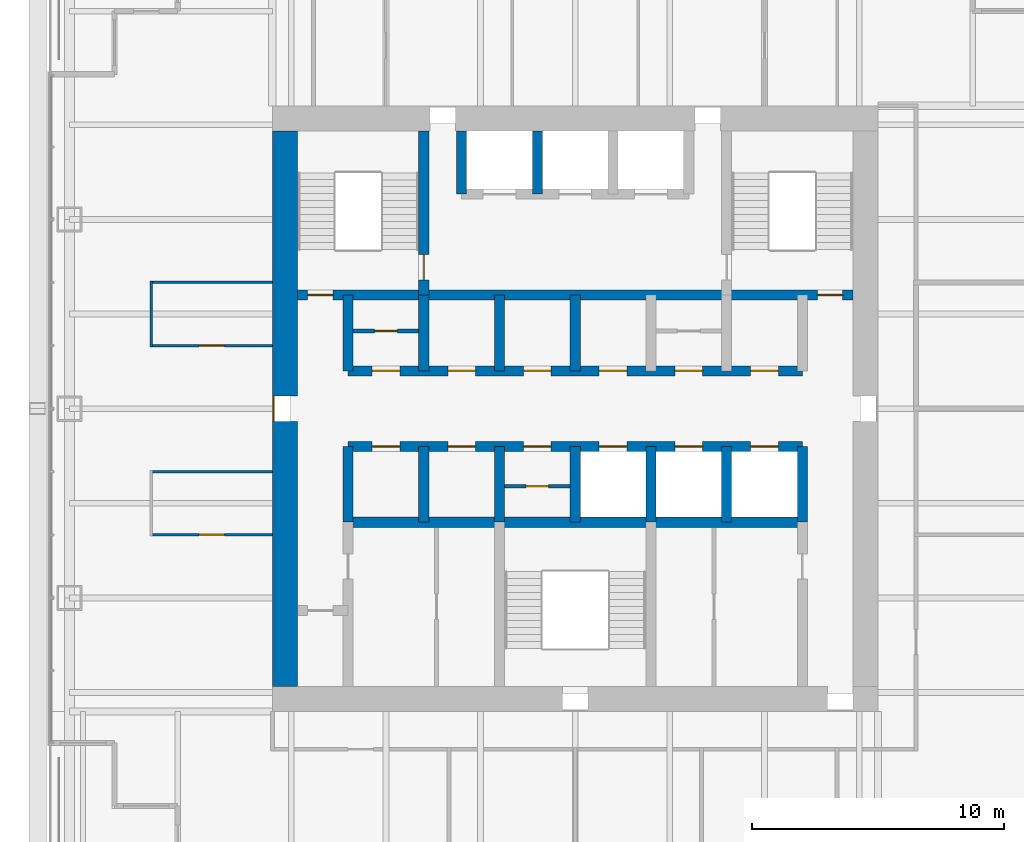
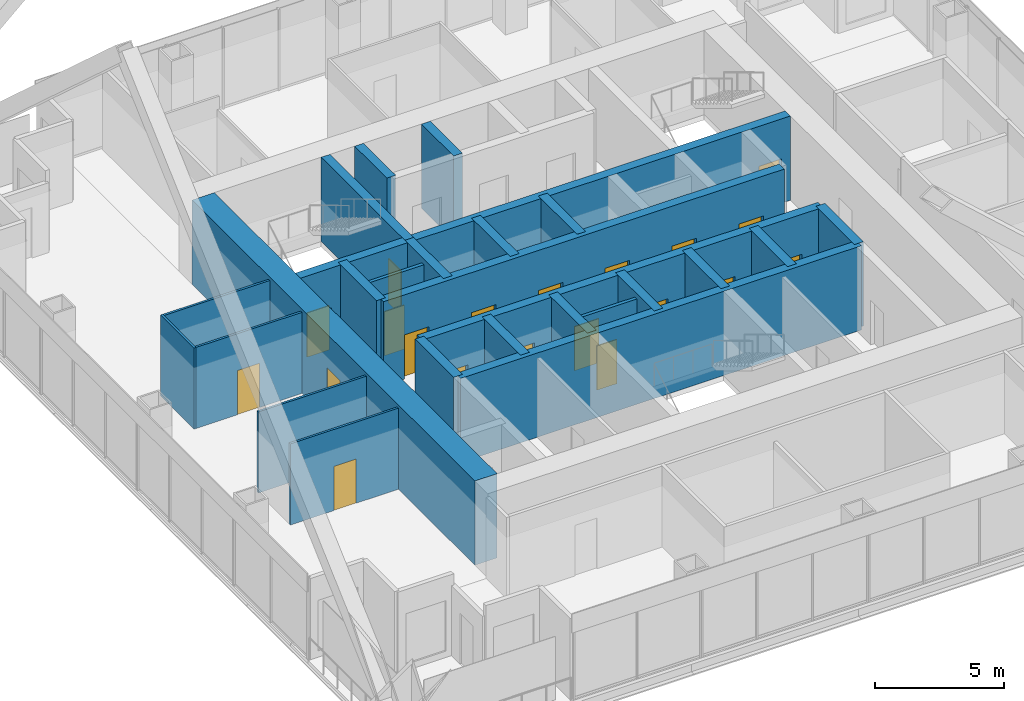
# One storey, part 14 of 18: 26 walls, 20 doors, 20 openings.
"""IFC4 building model written with IfcOpenShell, lengths in metres."""

from ifc_helpers import new_model, si_unit, direction, frame, frame_2d, origin, place, context, subcontext, project, spatial, rectangle, extrude, material, layer, layer_set, type_object, element, fill, save


model = new_model("IFC4")

# Units and contexts
model_context = context("Model", 3, precision=1e-05, world=origin(), true_north=direction((0.0, 1.0)))
body_context = subcontext(model_context, "Body", "Model", "MODEL_VIEW")
ifc_project = project(units=[si_unit("LENGTHUNIT", "METRE"), si_unit("AREAUNIT", "SQUARE_METRE"), si_unit("VOLUMEUNIT", "CUBIC_METRE"), si_unit("PLANEANGLEUNIT", "RADIAN"), si_unit("MASSUNIT", "GRAM", prefix="KILO")], contexts=[model_context])

# Site, building, storey
site_placement = place(None, origin())
site = spatial("IfcSite", under=ifc_project, at=site_placement, CompositionType="ELEMENT")
building_placement = place(site_placement, origin())
building = spatial("IfcBuilding", under=site, at=building_placement, Name="Tarangal Relay Tower", CompositionType="ELEMENT")
storey_placement = place(building_placement, frame((0.0, 0.0, 295.89990234375)))
storey = spatial("IfcBuildingStorey", under=building, at=storey_placement, Name="L65", CompositionType="ELEMENT", Elevation=295.89990234375)

# Wall, openings, doors
ifc_material_1 = material(Name="Concrete fc' 60 MPa", Category="concrete")
ifc_layer_1 = layer(ifc_material_1, 0.39990234375)
ifc_layer_set_1 = layer_set([ifc_layer_1], Name="Core inner wall 400")
wall_type_1 = type_object("IfcWallType", Name="Core inner wall 400", PredefinedType="SHEAR", material=ifc_layer_set_1)
wall_1_placement = place(storey_placement, frame((-11.0, 4.5, 0.0), z_axis=(0.0, 0.0, 1.0), x_axis=(1.0, 0.0, 0.0)))
wall_1 = element("IfcWall", 1, at=wall_1_placement, inside=storey, type_object=wall_type_1, Name="Core wall Y45 L65", PredefinedType="SHEAR", context=body_context, shape_type="SweptSolid", body=[
    extrude(rectangle(XDim=22.0, YDim=0.39990234375, at=frame_2d((11.0, 0.0))), origin(), (0.0, 0.0, 1.0), 4.0),
])
opening_1_placement = place(wall_1_placement, frame((0.39990234375, 0.0, 0.0)))
opening_1 = element("IfcOpeningElement", 2, at=opening_1_placement, cuts=wall_1, Name="Opening FD1", PredefinedType="OPENING", context=body_context, shape_type="SweptSolid", body=[
    extrude(rectangle(XDim=1.0, YDim=2.10009765625, at=frame_2d((0.5, 1.050048828125))), frame((0.0, 0.2099609375, 0.0), z_axis=(0.0, -1.0, 0.0), x_axis=(1.0, 0.0, 0.0)), (0.0, 0.0, 1.0), 0.419921875),
])
opening_2_placement = place(wall_1_placement, frame((20.60009765625, 0.0, 0.0)))
opening_2 = element("IfcOpeningElement", 3, at=opening_2_placement, cuts=wall_1, Name="Opening FD1", PredefinedType="OPENING", context=body_context, shape_type="SweptSolid", body=[
    extrude(rectangle(XDim=1.0, YDim=2.10009765625, at=frame_2d((0.5, 1.050048828125))), frame((0.0, 0.2099609375, 0.0), z_axis=(0.0, -1.0, 0.0), x_axis=(1.0, 0.0, 0.0)), (0.0, 0.0, 1.0), 0.419921875),
])
ifc_material_2 = material(Name="Steel door with hardwood frame", Category="steel")
door_type_1 = type_object("IfcDoorType", Name="Fire door 1000 x 2100", OperationType="SINGLE_SWING_LEFT", PredefinedType="DOOR", material=ifc_material_2)
door_1_placement = place(opening_1_placement, origin())
door_1 = element("IfcDoor", 4, at=door_1_placement, inside=storey, type_object=door_type_1, Name="Stair ST-A door from corridor L65", OperationType="SINGLE_SWING_LEFT", OverallHeight=2.10009765625, OverallWidth=1.0, PredefinedType="DOOR", context=body_context, shape_type="SweptSolid", body=[
    extrude(rectangle(XDim=1.0, YDim=2.10009765625, at=frame_2d((0.5, 1.050048828125))), frame((0.0, 0.02490234375, 0.0), z_axis=(0.0, -1.0, 0.0), x_axis=(1.0, 0.0, 0.0)), (0.0, 0.0, 1.0), 0.050048828125),
])
fill(opening_1, door_1)
door_2_placement = place(opening_2_placement, origin())
door_2 = element("IfcDoor", 5, at=door_2_placement, inside=storey, type_object=door_type_1, Name="Stair ST-B door from corridor L65", OperationType="SINGLE_SWING_LEFT", OverallHeight=2.10009765625, OverallWidth=1.0, PredefinedType="DOOR", context=body_context, shape_type="SweptSolid", body=[
    extrude(rectangle(XDim=1.0, YDim=2.10009765625, at=frame_2d((0.5, 1.050048828125))), frame((0.0, 0.02490234375, 0.0), z_axis=(0.0, -1.0, 0.0), x_axis=(1.0, 0.0, 0.0)), (0.0, 0.0, 1.0), 0.050048828125),
])
fill(opening_2, door_2)

wall_2_placement = place(storey_placement, frame((-9.0, 1.5, 0.0), z_axis=(0.0, 0.0, 1.0), x_axis=(1.0, 0.0, 0.0)))
wall_2 = element("IfcWall", 6, at=wall_2_placement, inside=storey, type_object=wall_type_1, Name="Core wall Y15 L65", PredefinedType="SHEAR", context=body_context, shape_type="SweptSolid", body=[
    extrude(rectangle(XDim=18.0, YDim=0.39990234375, at=frame_2d((9.0, 0.0))), origin(), (0.0, 0.0, 1.0), 4.0),
])
opening_3_placement = place(wall_2_placement, frame((0.949951171875, 0.0, 0.0)))
opening_3 = element("IfcOpeningElement", 7, at=opening_3_placement, cuts=wall_2, Name="Opening D4", PredefinedType="OPENING", context=body_context, shape_type="SweptSolid", body=[
    extrude(rectangle(XDim=1.10009765625, YDim=2.10009765625, at=frame_2d((0.550048828125, 1.050048828125))), frame((0.0, 0.2099609375, 0.0), z_axis=(0.0, -1.0, 0.0), x_axis=(1.0, 0.0, 0.0)), (0.0, 0.0, 1.0), 0.419921875),
])
opening_4_placement = place(wall_2_placement, frame((3.949951171875, 0.0, 0.0)))
opening_4 = element("IfcOpeningElement", 8, at=opening_4_placement, cuts=wall_2, Name="Opening D4", PredefinedType="OPENING", context=body_context, shape_type="SweptSolid", body=[
    extrude(rectangle(XDim=1.10009765625, YDim=2.10009765625, at=frame_2d((0.550048828125, 1.050048828125))), frame((0.0, 0.2099609375, 0.0), z_axis=(0.0, -1.0, 0.0), x_axis=(1.0, 0.0, 0.0)), (0.0, 0.0, 1.0), 0.419921875),
])
opening_5_placement = place(wall_2_placement, frame((6.949951171875, 0.0, 0.0)))
opening_5 = element("IfcOpeningElement", 9, at=opening_5_placement, cuts=wall_2, Name="Opening D4", PredefinedType="OPENING", context=body_context, shape_type="SweptSolid", body=[
    extrude(rectangle(XDim=1.10009765625, YDim=2.10009765625, at=frame_2d((0.550048828125, 1.050048828125))), frame((0.0, 0.2099609375, 0.0), z_axis=(0.0, -1.0, 0.0), x_axis=(1.0, 0.0, 0.0)), (0.0, 0.0, 1.0), 0.419921875),
])
opening_6_placement = place(wall_2_placement, frame((9.949951171875, 0.0, 0.0)))
opening_6 = element("IfcOpeningElement", 10, at=opening_6_placement, cuts=wall_2, Name="Opening D4", PredefinedType="OPENING", context=body_context, shape_type="SweptSolid", body=[
    extrude(rectangle(XDim=1.10009765625, YDim=2.10009765625, at=frame_2d((0.550048828125, 1.050048828125))), frame((0.0, 0.2099609375, 0.0), z_axis=(0.0, -1.0, 0.0), x_axis=(1.0, 0.0, 0.0)), (0.0, 0.0, 1.0), 0.419921875),
])
opening_7_placement = place(wall_2_placement, frame((12.949951171875, 0.0, 0.0)))
opening_7 = element("IfcOpeningElement", 11, at=opening_7_placement, cuts=wall_2, Name="Opening D4", PredefinedType="OPENING", context=body_context, shape_type="SweptSolid", body=[
    extrude(rectangle(XDim=1.10009765625, YDim=2.10009765625, at=frame_2d((0.550048828125, 1.050048828125))), frame((0.0, 0.2099609375, 0.0), z_axis=(0.0, -1.0, 0.0), x_axis=(1.0, 0.0, 0.0)), (0.0, 0.0, 1.0), 0.419921875),
])
opening_8_placement = place(wall_2_placement, frame((15.949951171875, 0.0, 0.0)))
opening_8 = element("IfcOpeningElement", 12, at=opening_8_placement, cuts=wall_2, Name="Opening D4", PredefinedType="OPENING", context=body_context, shape_type="SweptSolid", body=[
    extrude(rectangle(XDim=1.10009765625, YDim=2.10009765625, at=frame_2d((0.550048828125, 1.050048828125))), frame((0.0, 0.2099609375, 0.0), z_axis=(0.0, -1.0, 0.0), x_axis=(1.0, 0.0, 0.0)), (0.0, 0.0, 1.0), 0.419921875),
])
door_type_2 = type_object("IfcDoorType", Name="Core room door 1100 x 2100", OperationType="SINGLE_SWING_RIGHT", PredefinedType="DOOR", material=ifc_material_2)
door_3_placement = place(opening_3_placement, origin())
door_3 = element("IfcDoor", 13, at=door_3_placement, inside=storey, type_object=door_type_2, Name="Door D4 to staff pantry L65-D1", OperationType="SINGLE_SWING_RIGHT", OverallHeight=2.10009765625, OverallWidth=1.10009765625, PredefinedType="DOOR", context=body_context, shape_type="SweptSolid", body=[
    extrude(rectangle(XDim=1.10009765625, YDim=2.10009765625, at=frame_2d((0.550048828125, 1.050048828125))), frame((0.0, 0.02490234375, 0.0), z_axis=(0.0, -1.0, 0.0), x_axis=(1.0, 0.0, 0.0)), (0.0, 0.0, 1.0), 0.050048828125),
])
fill(opening_3, door_3)
door_4_placement = place(opening_4_placement, origin())
door_4 = element("IfcDoor", 14, at=door_4_placement, inside=storey, type_object=door_type_2, Name="Door D4 to it room L65-D2", OperationType="SINGLE_SWING_RIGHT", OverallHeight=2.10009765625, OverallWidth=1.10009765625, PredefinedType="DOOR", context=body_context, shape_type="SweptSolid", body=[
    extrude(rectangle(XDim=1.10009765625, YDim=2.10009765625, at=frame_2d((0.550048828125, 1.050048828125))), frame((0.0, 0.02490234375, 0.0), z_axis=(0.0, -1.0, 0.0), x_axis=(1.0, 0.0, 0.0)), (0.0, 0.0, 1.0), 0.050048828125),
])
fill(opening_4, door_4)
door_5_placement = place(opening_5_placement, origin())
door_5 = element("IfcDoor", 15, at=door_5_placement, inside=storey, type_object=door_type_2, Name="Door D4 to cleaner's store L65-D3", OperationType="SINGLE_SWING_RIGHT", OverallHeight=2.10009765625, OverallWidth=1.10009765625, PredefinedType="DOOR", context=body_context, shape_type="SweptSolid", body=[
    extrude(rectangle(XDim=1.10009765625, YDim=2.10009765625, at=frame_2d((0.550048828125, 1.050048828125))), frame((0.0, 0.02490234375, 0.0), z_axis=(0.0, -1.0, 0.0), x_axis=(1.0, 0.0, 0.0)), (0.0, 0.0, 1.0), 0.050048828125),
])
fill(opening_5, door_5)
door_6_placement = place(opening_6_placement, origin())
door_6 = element("IfcDoor", 16, at=door_6_placement, inside=storey, type_object=door_type_2, Name="Door D4 to staff wc L65-T1", OperationType="SINGLE_SWING_RIGHT", OverallHeight=2.10009765625, OverallWidth=1.10009765625, PredefinedType="DOOR", context=body_context, shape_type="SweptSolid", body=[
    extrude(rectangle(XDim=1.10009765625, YDim=2.10009765625, at=frame_2d((0.550048828125, 1.050048828125))), frame((0.0, 0.02490234375, 0.0), z_axis=(0.0, -1.0, 0.0), x_axis=(1.0, 0.0, 0.0)), (0.0, 0.0, 1.0), 0.050048828125),
])
fill(opening_6, door_6)
door_7_placement = place(opening_7_placement, origin())
door_7 = element("IfcDoor", 17, at=door_7_placement, inside=storey, type_object=door_type_2, Name="Door D4 to staff pantry L65-T2", OperationType="SINGLE_SWING_RIGHT", OverallHeight=2.10009765625, OverallWidth=1.10009765625, PredefinedType="DOOR", context=body_context, shape_type="SweptSolid", body=[
    extrude(rectangle(XDim=1.10009765625, YDim=2.10009765625, at=frame_2d((0.550048828125, 1.050048828125))), frame((0.0, 0.02490234375, 0.0), z_axis=(0.0, -1.0, 0.0), x_axis=(1.0, 0.0, 0.0)), (0.0, 0.0, 1.0), 0.050048828125),
])
fill(opening_7, door_7)
door_8_placement = place(opening_8_placement, origin())
door_8 = element("IfcDoor", 18, at=door_8_placement, inside=storey, type_object=door_type_2, Name="Door D4 to it room L65-T3", OperationType="SINGLE_SWING_RIGHT", OverallHeight=2.10009765625, OverallWidth=1.10009765625, PredefinedType="DOOR", context=body_context, shape_type="SweptSolid", body=[
    extrude(rectangle(XDim=1.10009765625, YDim=2.10009765625, at=frame_2d((0.550048828125, 1.050048828125))), frame((0.0, 0.02490234375, 0.0), z_axis=(0.0, -1.0, 0.0), x_axis=(1.0, 0.0, 0.0)), (0.0, 0.0, 1.0), 0.050048828125),
])
fill(opening_8, door_8)

wall_3_placement = place(storey_placement, frame((-9.0, -1.5, 0.0), z_axis=(0.0, 0.0, 1.0), x_axis=(1.0, 0.0, 0.0)))
wall_3 = element("IfcWall", 19, at=wall_3_placement, inside=storey, type_object=wall_type_1, Name="Core wall YM15 L65", PredefinedType="SHEAR", context=body_context, shape_type="SweptSolid", body=[
    extrude(rectangle(XDim=18.0, YDim=0.39990234375, at=frame_2d((9.0, 0.0))), origin(), (0.0, 0.0, 1.0), 4.0),
])
opening_9_placement = place(wall_3_placement, frame((9.949951171875, 0.0, 0.0)))
opening_9 = element("IfcOpeningElement", 20, at=opening_9_placement, cuts=wall_3, Name="Opening LD1", PredefinedType="OPENING", context=body_context, shape_type="SweptSolid", body=[
    extrude(rectangle(XDim=1.10009765625, YDim=2.10009765625, at=frame_2d((0.550048828125, 1.050048828125))), frame((0.0, 0.2099609375, 0.0), z_axis=(0.0, -1.0, 0.0), x_axis=(1.0, 0.0, 0.0)), (0.0, 0.0, 1.0), 0.419921875),
])
opening_10_placement = place(wall_3_placement, frame((12.949951171875, 0.0, 0.0)))
opening_10 = element("IfcOpeningElement", 21, at=opening_10_placement, cuts=wall_3, Name="Opening LD1", PredefinedType="OPENING", context=body_context, shape_type="SweptSolid", body=[
    extrude(rectangle(XDim=1.10009765625, YDim=2.10009765625, at=frame_2d((0.550048828125, 1.050048828125))), frame((0.0, 0.2099609375, 0.0), z_axis=(0.0, -1.0, 0.0), x_axis=(1.0, 0.0, 0.0)), (0.0, 0.0, 1.0), 0.419921875),
])
opening_11_placement = place(wall_3_placement, frame((15.949951171875, 0.0, 0.0)))
opening_11 = element("IfcOpeningElement", 22, at=opening_11_placement, cuts=wall_3, Name="Opening LD1", PredefinedType="OPENING", context=body_context, shape_type="SweptSolid", body=[
    extrude(rectangle(XDim=1.10009765625, YDim=2.10009765625, at=frame_2d((0.550048828125, 1.050048828125))), frame((0.0, 0.2099609375, 0.0), z_axis=(0.0, -1.0, 0.0), x_axis=(1.0, 0.0, 0.0)), (0.0, 0.0, 1.0), 0.419921875),
])
opening_12_placement = place(wall_3_placement, frame((0.949951171875, 0.0, 0.0)))
opening_12 = element("IfcOpeningElement", 23, at=opening_12_placement, cuts=wall_3, Name="Opening D4", PredefinedType="OPENING", context=body_context, shape_type="SweptSolid", body=[
    extrude(rectangle(XDim=1.10009765625, YDim=2.10009765625, at=frame_2d((0.550048828125, 1.050048828125))), frame((0.0, 0.2099609375, 0.0), z_axis=(0.0, -1.0, 0.0), x_axis=(1.0, 0.0, 0.0)), (0.0, 0.0, 1.0), 0.419921875),
])
opening_13_placement = place(wall_3_placement, frame((3.949951171875, 0.0, 0.0)))
opening_13 = element("IfcOpeningElement", 24, at=opening_13_placement, cuts=wall_3, Name="Opening D4", PredefinedType="OPENING", context=body_context, shape_type="SweptSolid", body=[
    extrude(rectangle(XDim=1.10009765625, YDim=2.10009765625, at=frame_2d((0.550048828125, 1.050048828125))), frame((0.0, 0.2099609375, 0.0), z_axis=(0.0, -1.0, 0.0), x_axis=(1.0, 0.0, 0.0)), (0.0, 0.0, 1.0), 0.419921875),
])
opening_14_placement = place(wall_3_placement, frame((6.949951171875, 0.0, 0.0)))
opening_14 = element("IfcOpeningElement", 25, at=opening_14_placement, cuts=wall_3, Name="Opening D4", PredefinedType="OPENING", context=body_context, shape_type="SweptSolid", body=[
    extrude(rectangle(XDim=1.10009765625, YDim=2.10009765625, at=frame_2d((0.550048828125, 1.050048828125))), frame((0.0, 0.2099609375, 0.0), z_axis=(0.0, -1.0, 0.0), x_axis=(1.0, 0.0, 0.0)), (0.0, 0.0, 1.0), 0.419921875),
])
door_9_placement = place(opening_12_placement, origin())
door_9 = element("IfcDoor", 26, at=door_9_placement, inside=storey, type_object=door_type_2, Name="Door D4 to cleaner's store L65-S1", OperationType="SINGLE_SWING_RIGHT", OverallHeight=2.10009765625, OverallWidth=1.10009765625, PredefinedType="DOOR", context=body_context, shape_type="SweptSolid", body=[
    extrude(rectangle(XDim=1.10009765625, YDim=2.10009765625, at=frame_2d((0.550048828125, 1.050048828125))), frame((0.0, 0.02490234375, 0.0), z_axis=(0.0, -1.0, 0.0), x_axis=(1.0, 0.0, 0.0)), (0.0, 0.0, 1.0), 0.050048828125),
])
fill(opening_12, door_9)
door_10_placement = place(opening_13_placement, origin())
door_10 = element("IfcDoor", 27, at=door_10_placement, inside=storey, type_object=door_type_2, Name="Door D4 to staff wc L65-S2", OperationType="SINGLE_SWING_RIGHT", OverallHeight=2.10009765625, OverallWidth=1.10009765625, PredefinedType="DOOR", context=body_context, shape_type="SweptSolid", body=[
    extrude(rectangle(XDim=1.10009765625, YDim=2.10009765625, at=frame_2d((0.550048828125, 1.050048828125))), frame((0.0, 0.02490234375, 0.0), z_axis=(0.0, -1.0, 0.0), x_axis=(1.0, 0.0, 0.0)), (0.0, 0.0, 1.0), 0.050048828125),
])
fill(opening_13, door_10)
door_11_placement = place(opening_14_placement, origin())
door_11 = element("IfcDoor", 28, at=door_11_placement, inside=storey, type_object=door_type_2, Name="Door D4 to staff pantry L65-S3", OperationType="SINGLE_SWING_RIGHT", OverallHeight=2.10009765625, OverallWidth=1.10009765625, PredefinedType="DOOR", context=body_context, shape_type="SweptSolid", body=[
    extrude(rectangle(XDim=1.10009765625, YDim=2.10009765625, at=frame_2d((0.550048828125, 1.050048828125))), frame((0.0, 0.02490234375, 0.0), z_axis=(0.0, -1.0, 0.0), x_axis=(1.0, 0.0, 0.0)), (0.0, 0.0, 1.0), 0.050048828125),
])
fill(opening_14, door_11)
door_type_3 = type_object("IfcDoorType", Name="Lift landing door 1100 x 2100", OperationType="SLIDING_TO_LEFT", PredefinedType="DOOR", material=ifc_material_2)
door_12_placement = place(opening_9_placement, origin())
door_12 = element("IfcDoor", 29, at=door_12_placement, inside=storey, type_object=door_type_3, Name="Lift OH1 landing door L65", OperationType="SLIDING_TO_LEFT", OverallHeight=2.10009765625, OverallWidth=1.10009765625, PredefinedType="DOOR", context=body_context, shape_type="SweptSolid", body=[
    extrude(rectangle(XDim=1.10009765625, YDim=2.10009765625, at=frame_2d((0.550048828125, 1.050048828125))), frame((0.0, 0.02490234375, 0.0), z_axis=(0.0, -1.0, 0.0), x_axis=(1.0, 0.0, 0.0)), (0.0, 0.0, 1.0), 0.050048828125),
])
fill(opening_9, door_12)
door_13_placement = place(opening_10_placement, origin())
door_13 = element("IfcDoor", 30, at=door_13_placement, inside=storey, type_object=door_type_3, Name="Lift OH2 landing door L65", OperationType="SLIDING_TO_LEFT", OverallHeight=2.10009765625, OverallWidth=1.10009765625, PredefinedType="DOOR", context=body_context, shape_type="SweptSolid", body=[
    extrude(rectangle(XDim=1.10009765625, YDim=2.10009765625, at=frame_2d((0.550048828125, 1.050048828125))), frame((0.0, 0.02490234375, 0.0), z_axis=(0.0, -1.0, 0.0), x_axis=(1.0, 0.0, 0.0)), (0.0, 0.0, 1.0), 0.050048828125),
])
fill(opening_10, door_13)
door_14_placement = place(opening_11_placement, origin())
door_14 = element("IfcDoor", 31, at=door_14_placement, inside=storey, type_object=door_type_3, Name="Lift OH3 landing door L65", OperationType="SLIDING_TO_LEFT", OverallHeight=2.10009765625, OverallWidth=1.10009765625, PredefinedType="DOOR", context=body_context, shape_type="SweptSolid", body=[
    extrude(rectangle(XDim=1.10009765625, YDim=2.10009765625, at=frame_2d((0.550048828125, 1.050048828125))), frame((0.0, 0.02490234375, 0.0), z_axis=(0.0, -1.0, 0.0), x_axis=(1.0, 0.0, 0.0)), (0.0, 0.0, 1.0), 0.050048828125),
])
fill(opening_11, door_14)

# Walls
wall_4_placement = place(storey_placement, frame((-9.0, -4.5, 0.0), z_axis=(0.0, 0.0, 1.0), x_axis=(1.0, 0.0, 0.0)))
element("IfcWall", 32, at=wall_4_placement, inside=storey, type_object=wall_type_1, Name="Core wall YM45 L65", PredefinedType="SHEAR", context=body_context, shape_type="SweptSolid", body=[
    extrude(rectangle(XDim=18.0, YDim=0.39990234375, at=frame_2d((9.0, 0.0))), origin(), (0.0, 0.0, 1.0), 4.0),
])
for number, where, z_axis, x_axis, name in (
    (33, (-9.0, 1.5, 0.0), (0.0, 0.0, 1.0), (0.0, 1.0, 0.0), "Core wall XM9N L65"),
    (34, (-9.0, -4.5, 0.0), (0.0, 0.0, 1.0), (0.0, 1.0, 0.0), "Core wall XM9S L65"),
    (35, (9.0, -4.5, 0.0), (0.0, 0.0, 1.0), (0.0, 1.0, 0.0), "Core wall X9S L65"),
    (36, (-6.0, 1.5, 0.0), (0.0, 0.0, 1.0), (0.0, 1.0, 0.0), "Core wall XM6N L65"),
    (37, (-3.0, 1.5, 0.0), (0.0, 0.0, 1.0), (0.0, 1.0, 0.0), "Core wall XM3N L65"),
    (38, (0.0, 1.5, 0.0), (0.0, 0.0, 1.0), (0.0, 1.0, 0.0), "Core wall X0N L65"),
    (39, (-6.0, -4.5, 0.0), (0.0, 0.0, 1.0), (0.0, 1.0, 0.0), "Core wall XM6S L65"),
    (40, (-3.0, -4.5, 0.0), (0.0, 0.0, 1.0), (0.0, 1.0, 0.0), "Core wall XM3S L65"),
    (41, (0.0, -4.5, 0.0), (0.0, 0.0, 1.0), (0.0, 1.0, 0.0), "Core wall X0S L65"),
    (42, (3.0, -4.5, 0.0), (0.0, 0.0, 1.0), (0.0, 1.0, 0.0), "Core wall X3S L65"),
    (43, (6.0, -4.5, 0.0), (0.0, 0.0, 1.0), (0.0, 1.0, 0.0), "Core wall X6S L65"),
):
    element("IfcWall", number, at=place(storey_placement, frame(where, z_axis=z_axis, x_axis=x_axis)), inside=storey, type_object=wall_type_1, Name=name, PredefinedType="SHEAR", context=body_context, shape_type="SweptSolid", body=[
        extrude(rectangle(XDim=3.0, YDim=0.39990234375, at=frame_2d((1.5, 0.0))), origin(), (0.0, 0.0, 1.0), 4.0),
    ])

# Wall, opening, door
wall_5_placement = place(storey_placement, frame((-6.0, 4.5, 0.0), z_axis=(0.0, 0.0, 1.0), x_axis=(0.0, 1.0, 0.0)))
wall_5 = element("IfcWall", 44, at=wall_5_placement, inside=storey, type_object=wall_type_1, Name="Core wall XM6 L65", PredefinedType="SHEAR", context=body_context, shape_type="SweptSolid", body=[
    extrude(rectangle(XDim=6.5, YDim=0.39990234375, at=frame_2d((3.25, 0.0))), origin(), (0.0, 0.0, 1.0), 4.0),
])
opening_15_placement = place(wall_5_placement, frame((0.60009765625, 0.0, 0.0)))
opening_15 = element("IfcOpeningElement", 45, at=opening_15_placement, cuts=wall_5, Name="Opening FD1", PredefinedType="OPENING", context=body_context, shape_type="SweptSolid", body=[
    extrude(rectangle(XDim=1.0, YDim=2.10009765625, at=frame_2d((0.5, 1.050048828125))), frame((0.0, 0.2099609375, 0.0), z_axis=(0.0, -1.0, 0.0), x_axis=(1.0, 0.0, 0.0)), (0.0, 0.0, 1.0), 0.419921875),
])
door_15_placement = place(opening_15_placement, origin())
door_15 = element("IfcDoor", 46, at=door_15_placement, inside=storey, type_object=door_type_1, Name="Stair ST-A door from fire-fighting lobby L65", OperationType="SINGLE_SWING_LEFT", OverallHeight=2.10009765625, OverallWidth=1.0, PredefinedType="DOOR", context=body_context, shape_type="SweptSolid", body=[
    extrude(rectangle(XDim=1.0, YDim=2.10009765625, at=frame_2d((0.5, 1.050048828125))), frame((0.0, 0.02490234375, 0.0), z_axis=(0.0, -1.0, 0.0), x_axis=(1.0, 0.0, 0.0)), (0.0, 0.0, 1.0), 0.050048828125),
])
fill(opening_15, door_15)

# Walls
for number, where, z_axis, x_axis, name in (
    (47, (-4.5, 8.5, 0.0), (0.0, 0.0, 1.0), (0.0, 1.0, 0.0), "Core wall XM45 L65"),
    (48, (-1.5, 8.5, 0.0), (0.0, 0.0, 1.0), (0.0, 1.0, 0.0), "Core wall XM15 L65"),
):
    element("IfcWall", number, at=place(storey_placement, frame(where, z_axis=z_axis, x_axis=x_axis)), inside=storey, type_object=wall_type_1, Name=name, PredefinedType="SHEAR", context=body_context, shape_type="SweptSolid", body=[
        extrude(rectangle(XDim=2.5, YDim=0.39990234375, at=frame_2d((1.25, 0.0))), origin(), (0.0, 0.0, 1.0), 4.0),
    ])

# Wall, opening, door
ifc_layer_2 = layer(ifc_material_1, 1.0)
ifc_layer_set_2 = layer_set([ifc_layer_2], Name="Core wall 1000")
wall_type_2 = type_object("IfcWallType", Name="Core wall 1000", PredefinedType="SHEAR", material=ifc_layer_set_2)
wall_6_placement = place(storey_placement, frame((-11.5, -11.0, 0.0), z_axis=(0.0, 0.0, 1.0), x_axis=(0.0, 1.0, 0.0)))
wall_6 = element("IfcWall", 49, at=wall_6_placement, inside=storey, type_object=wall_type_2, Name="Core wall W L65", PredefinedType="SHEAR", context=body_context, shape_type="SweptSolid", body=[
    extrude(rectangle(XDim=22.0, YDim=1.0, at=frame_2d((11.0, 0.0))), origin(), (0.0, 0.0, 1.0), 4.0),
])
opening_16_placement = place(wall_6_placement, frame((10.5, 0.0, 0.0)))
opening_16 = element("IfcOpeningElement", 50, at=opening_16_placement, cuts=wall_6, Name="Opening FD3", PredefinedType="OPENING", context=body_context, shape_type="SweptSolid", body=[
    extrude(rectangle(XDim=1.0, YDim=2.39990234375, at=frame_2d((0.5, 1.199951171875))), frame((0.0, 0.510009765625, 0.0), z_axis=(0.0, -1.0, 0.0), x_axis=(1.0, 0.0, 0.0)), (0.0, 0.0, 1.0), 1.02001953125),
])
door_type_4 = type_object("IfcDoorType", Name="Fire door 1000 x 2400 core entry", OperationType="SINGLE_SWING_RIGHT", PredefinedType="DOOR", material=ifc_material_2)
door_16_placement = place(opening_16_placement, origin())
door_16 = element("IfcDoor", 51, at=door_16_placement, inside=storey, type_object=door_type_4, Name="Core entry door west L65", OperationType="SINGLE_SWING_RIGHT", OverallHeight=2.39990234375, OverallWidth=1.0, PredefinedType="DOOR", context=body_context, shape_type="SweptSolid", body=[
    extrude(rectangle(XDim=1.0, YDim=2.39990234375, at=frame_2d((0.5, 1.199951171875))), frame((0.0, 0.48486328125, 0.0), z_axis=(0.0, -1.0, 0.0), x_axis=(1.0, 0.0, 0.0)), (0.0, 0.0, 1.0), 0.050048828125),
])
fill(opening_16, door_16)

ifc_material_3 = material(Name="Double glazed aluminium framed partition", Category="aluminium")
ifc_layer_3 = layer(ifc_material_3, 0.10009765625)
ifc_layer_set_3 = layer_set([ifc_layer_3], Name="Glazed partition 100")
wall_type_3 = type_object("IfcWallType", Name="Glazed partition 100", PredefinedType="PARTITIONING", material=ifc_layer_set_3)
wall_7_placement = place(storey_placement, frame((-16.85009765625, -5.0, 0.0), z_axis=(0.0, 0.0, 1.0), x_axis=(1.0, 0.0, 0.0)))
wall_7 = element("IfcWall", 52, at=wall_7_placement, inside=storey, type_object=wall_type_3, Name="Partition PT3 L65", PredefinedType="PARTITIONING", context=body_context, shape_type="SweptSolid", body=[
    extrude(rectangle(XDim=4.85009765625, YDim=0.10009765625, at=frame_2d((2.425048828125, 0.0))), origin(), (0.0, 0.0, 1.0), 3.85009765625),
])
opening_17_placement = place(wall_7_placement, frame((1.949951171875, 0.0, 0.0)))
opening_17 = element("IfcOpeningElement", 53, at=opening_17_placement, cuts=wall_7, Name="Opening D3", PredefinedType="OPENING", context=body_context, shape_type="SweptSolid", body=[
    extrude(rectangle(XDim=1.0, YDim=2.10009765625, at=frame_2d((0.5, 1.050048828125))), frame((0.0, 0.06005859375, 0.0), z_axis=(0.0, -1.0, 0.0), x_axis=(1.0, 0.0, 0.0)), (0.0, 0.0, 1.0), 0.1201171875),
])
ifc_material_4 = material(Name="Frameless glass door", Category="glass")
door_type_5 = type_object("IfcDoorType", Name="Glazed door 1000 x 2100", OperationType="SINGLE_SWING_LEFT", PredefinedType="DOOR", material=ifc_material_4)
door_17_placement = place(opening_17_placement, origin())
door_17 = element("IfcDoor", 54, at=door_17_placement, inside=storey, type_object=door_type_5, Name="Door D3 to project room L65-09", OperationType="SINGLE_SWING_LEFT", OverallHeight=2.10009765625, OverallWidth=1.0, PredefinedType="DOOR", context=body_context, shape_type="SweptSolid", body=[
    extrude(rectangle(XDim=1.0, YDim=2.10009765625, at=frame_2d((0.5, 1.050048828125))), frame((0.0, 0.02490234375, 0.0), z_axis=(0.0, -1.0, 0.0), x_axis=(1.0, 0.0, 0.0)), (0.0, 0.0, 1.0), 0.050048828125),
])
fill(opening_17, door_17)

# Wall
wall_8_placement = place(storey_placement, frame((-16.85009765625, -2.5, 0.0), z_axis=(0.0, 0.0, 1.0), x_axis=(1.0, 0.0, 0.0)))
element("IfcWall", 55, at=wall_8_placement, inside=storey, type_object=wall_type_3, Name="Partition PT3 L65", PredefinedType="PARTITIONING", context=body_context, shape_type="SweptSolid", body=[
    extrude(rectangle(XDim=4.85009765625, YDim=0.10009765625, at=frame_2d((2.425048828125, 0.0))), origin(), (0.0, 0.0, 1.0), 3.85009765625),
])

# Wall, opening, door
wall_9_placement = place(storey_placement, frame((-16.85009765625, 2.5, 0.0), z_axis=(0.0, 0.0, 1.0), x_axis=(1.0, 0.0, 0.0)))
wall_9 = element("IfcWall", 56, at=wall_9_placement, inside=storey, type_object=wall_type_3, Name="Partition PT3 L65", PredefinedType="PARTITIONING", context=body_context, shape_type="SweptSolid", body=[
    extrude(rectangle(XDim=4.85009765625, YDim=0.10009765625, at=frame_2d((2.425048828125, 0.0))), origin(), (0.0, 0.0, 1.0), 3.85009765625),
])
opening_18_placement = place(wall_9_placement, frame((1.949951171875, 0.0, 0.0)))
opening_18 = element("IfcOpeningElement", 57, at=opening_18_placement, cuts=wall_9, Name="Opening D3", PredefinedType="OPENING", context=body_context, shape_type="SweptSolid", body=[
    extrude(rectangle(XDim=1.0, YDim=2.10009765625, at=frame_2d((0.5, 1.050048828125))), frame((0.0, 0.06005859375, 0.0), z_axis=(0.0, -1.0, 0.0), x_axis=(1.0, 0.0, 0.0)), (0.0, 0.0, 1.0), 0.1201171875),
])
door_18_placement = place(opening_18_placement, origin())
door_18 = element("IfcDoor", 58, at=door_18_placement, inside=storey, type_object=door_type_5, Name="Door D3 to meeting room L65-10", OperationType="SINGLE_SWING_LEFT", OverallHeight=2.10009765625, OverallWidth=1.0, PredefinedType="DOOR", context=body_context, shape_type="SweptSolid", body=[
    extrude(rectangle(XDim=1.0, YDim=2.10009765625, at=frame_2d((0.5, 1.050048828125))), frame((0.0, 0.02490234375, 0.0), z_axis=(0.0, -1.0, 0.0), x_axis=(1.0, 0.0, 0.0)), (0.0, 0.0, 1.0), 0.050048828125),
])
fill(opening_18, door_18)

# Walls
wall_10_placement = place(storey_placement, frame((-16.85009765625, 5.0, 0.0), z_axis=(0.0, 0.0, 1.0), x_axis=(1.0, 0.0, 0.0)))
element("IfcWall", 59, at=wall_10_placement, inside=storey, type_object=wall_type_3, Name="Partition PT3 L65", PredefinedType="PARTITIONING", context=body_context, shape_type="SweptSolid", body=[
    extrude(rectangle(XDim=4.85009765625, YDim=0.10009765625, at=frame_2d((2.425048828125, 0.0))), origin(), (0.0, 0.0, 1.0), 3.85009765625),
])
wall_11_placement = place(storey_placement, frame((-16.800048828125, 2.449951171875, 0.0), z_axis=(0.0, 0.0, 1.0), x_axis=(0.0, 1.0, 0.0)))
element("IfcWall", 60, at=wall_11_placement, inside=storey, type_object=wall_type_3, Name="Partition PT3 L65", PredefinedType="PARTITIONING", context=body_context, shape_type="SweptSolid", body=[
    extrude(rectangle(XDim=2.60009765625, YDim=0.10009765625, at=frame_2d((1.300048828125, 0.0))), origin(), (0.0, 0.0, 1.0), 3.85009765625),
])

# Wall, opening, door
ifc_material_5 = material(Name="Gypsum board on steel studs", Category="steel")
ifc_layer_4 = layer(ifc_material_5, 0.14990234375)
ifc_layer_set_4 = layer_set([ifc_layer_4], Name="Partition 150")
wall_type_4 = type_object("IfcWallType", Name="Partition 150", PredefinedType="PARTITIONING", material=ifc_layer_set_4)
wall_12_placement = place(storey_placement, frame((-8.800048828125, 3.074951171875, 0.0), z_axis=(0.0, 0.0, 1.0), x_axis=(1.0, 0.0, 0.0)))
wall_12 = element("IfcWall", 61, at=wall_12_placement, inside=storey, type_object=wall_type_4, Name="Partition PT1 L65", PredefinedType="PARTITIONING", context=body_context, shape_type="SweptSolid", body=[
    extrude(rectangle(XDim=2.60009765625, YDim=0.14990234375, at=frame_2d((1.300048828125, 0.0))), origin(), (0.0, 0.0, 1.0), 3.75),
])
opening_19_placement = place(wall_12_placement, frame((0.85009765625, 0.0, 0.0)))
opening_19 = element("IfcOpeningElement", 62, at=opening_19_placement, cuts=wall_12, Name="Opening D5", PredefinedType="OPENING", context=body_context, shape_type="SweptSolid", body=[
    extrude(rectangle(XDim=0.89990234375, YDim=2.10009765625, at=frame_2d((0.449951171875, 1.050048828125))), frame((0.0, 0.0849609375, 0.0), z_axis=(0.0, -1.0, 0.0), x_axis=(1.0, 0.0, 0.0)), (0.0, 0.0, 1.0), 0.169921875),
])
ifc_material_6 = material(Name="Hardwood door", Category="wood")
door_type_6 = type_object("IfcDoorType", Name="Cupboard door 900 x 2100", OperationType="SINGLE_SWING_LEFT", PredefinedType="DOOR", material=ifc_material_6)
door_19_placement = place(opening_19_placement, origin())
door_19 = element("IfcDoor", 63, at=door_19_placement, inside=storey, type_object=door_type_6, Name="Door D5 to pantry cupboard L65-D1B", OperationType="SINGLE_SWING_LEFT", OverallHeight=2.10009765625, OverallWidth=0.89990234375, PredefinedType="DOOR", context=body_context, shape_type="SweptSolid", body=[
    extrude(rectangle(XDim=0.89990234375, YDim=2.10009765625, at=frame_2d((0.449951171875, 1.050048828125))), frame((0.0, 0.02490234375, 0.0), z_axis=(0.0, -1.0, 0.0), x_axis=(1.0, 0.0, 0.0)), (0.0, 0.0, 1.0), 0.050048828125),
])
fill(opening_19, door_19)

wall_13_placement = place(storey_placement, frame((-2.800048828125, -3.074951171875, 0.0), z_axis=(0.0, 0.0, 1.0), x_axis=(1.0, 0.0, 0.0)))
wall_13 = element("IfcWall", 64, at=wall_13_placement, inside=storey, type_object=wall_type_4, Name="Partition PT1 L65", PredefinedType="PARTITIONING", context=body_context, shape_type="SweptSolid", body=[
    extrude(rectangle(XDim=2.60009765625, YDim=0.14990234375, at=frame_2d((1.300048828125, 0.0))), origin(), (0.0, 0.0, 1.0), 3.75),
])
opening_20_placement = place(wall_13_placement, frame((0.85009765625, 0.0, 0.0)))
opening_20 = element("IfcOpeningElement", 65, at=opening_20_placement, cuts=wall_13, Name="Opening D5", PredefinedType="OPENING", context=body_context, shape_type="SweptSolid", body=[
    extrude(rectangle(XDim=0.89990234375, YDim=2.10009765625, at=frame_2d((0.449951171875, 1.050048828125))), frame((0.0, 0.0849609375, 0.0), z_axis=(0.0, -1.0, 0.0), x_axis=(1.0, 0.0, 0.0)), (0.0, 0.0, 1.0), 0.169921875),
])
door_20_placement = place(opening_20_placement, origin())
door_20 = element("IfcDoor", 66, at=door_20_placement, inside=storey, type_object=door_type_6, Name="Door D5 to pantry cupboard L65-S3B", OperationType="SINGLE_SWING_LEFT", OverallHeight=2.10009765625, OverallWidth=0.89990234375, PredefinedType="DOOR", context=body_context, shape_type="SweptSolid", body=[
    extrude(rectangle(XDim=0.89990234375, YDim=2.10009765625, at=frame_2d((0.449951171875, 1.050048828125))), frame((0.0, 0.02490234375, 0.0), z_axis=(0.0, -1.0, 0.0), x_axis=(1.0, 0.0, 0.0)), (0.0, 0.0, 1.0), 0.050048828125),
])
fill(opening_20, door_20)

save(model, "model.ifc")
